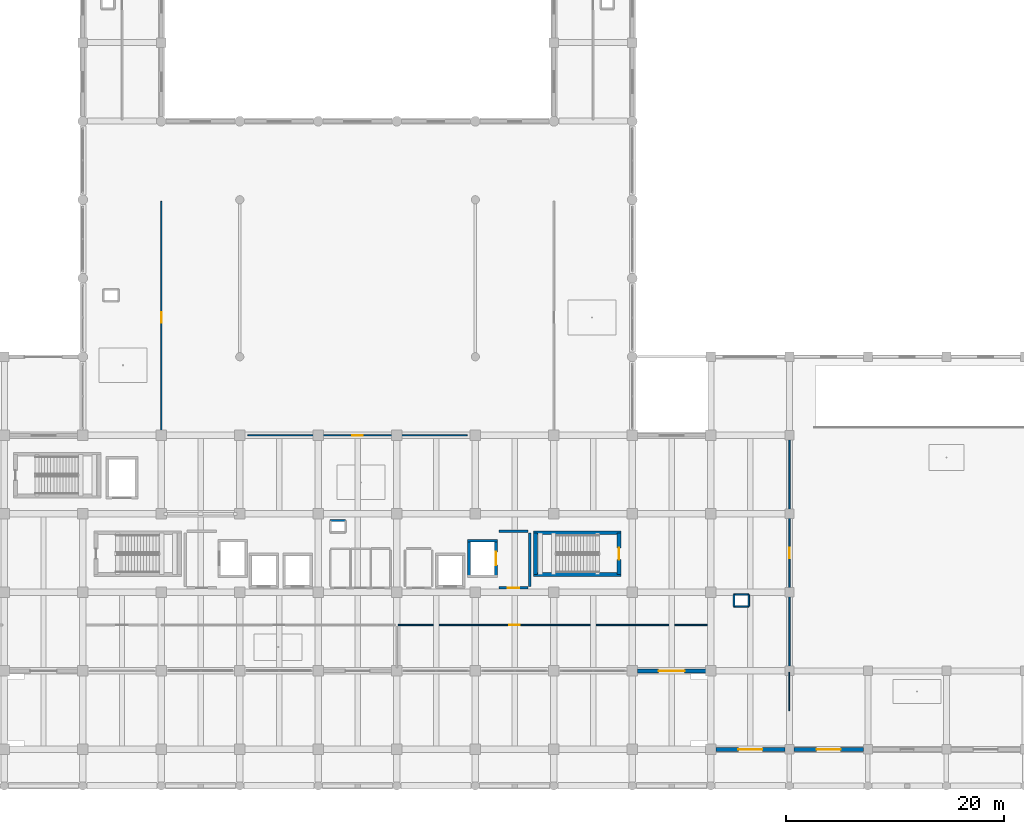
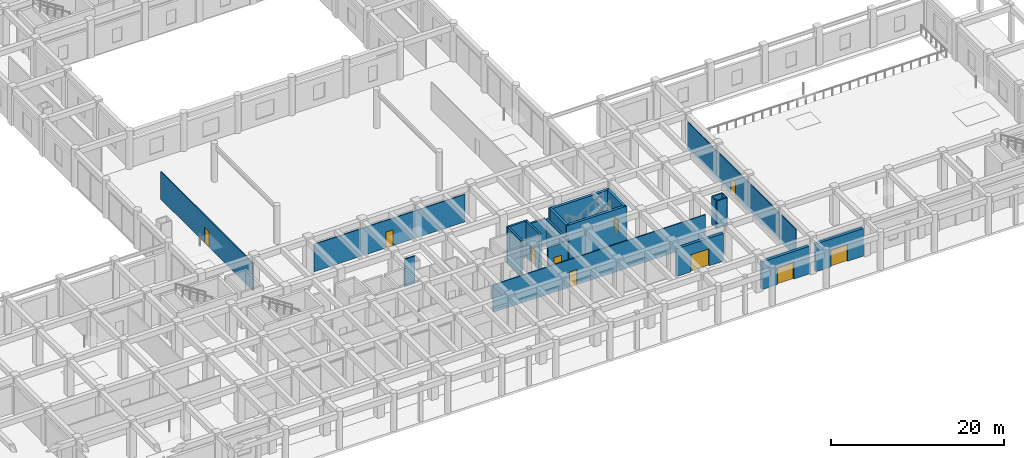
# One storey, part 28 of 56: 23 walls, 10 doors, 10 openings.
"""IFC4 building model written with IfcOpenShell, lengths in metres."""

from ifc_helpers import new_model, si_unit, direction, frame, frame_2d, origin, place, context, subcontext, project, spatial, rectangle, extrude, material, layer, layer_set, type_object, element, fill, save


model = new_model("IFC4")

# Units and contexts
model_context = context("Model", 3, precision=1e-05, world=origin(), true_north=direction((0.0, 1.0)))
body_context = subcontext(model_context, "Body", "Model", "MODEL_VIEW")
ifc_project = project(units=[si_unit("LENGTHUNIT", "METRE"), si_unit("AREAUNIT", "SQUARE_METRE"), si_unit("VOLUMEUNIT", "CUBIC_METRE"), si_unit("PLANEANGLEUNIT", "RADIAN"), si_unit("MASSUNIT", "GRAM", prefix="KILO")], contexts=[model_context])

# Site, building, storey
site_placement = place(None, origin())
site = spatial("IfcSite", under=ifc_project, at=site_placement, CompositionType="ELEMENT")
building_placement = place(site_placement, origin())
building = spatial("IfcBuilding", under=site, at=building_placement, Name="Kazehaya Institute of Natural Sciences", CompositionType="ELEMENT")
storey_placement = place(building_placement, origin())
storey = spatial("IfcBuildingStorey", under=building, at=storey_placement, Name="L00", CompositionType="ELEMENT", Elevation=0.0)

# Walls
ifc_material_1 = material(Name="Concrete Fc42", Category="concrete")
ifc_layer_1 = layer(ifc_material_1, 0.35009765625, Name="Concrete Fc42", Category="concrete")
ifc_layer_set_1 = layer_set([ifc_layer_1], Name="Concrete Fc42")
wall_type_1 = type_object("IfcWallType", Name="WL-CORE-350", PredefinedType="SHEAR", material=ifc_layer_set_1)
for number, where, z_axis, x_axis, name in (
    (1, (111.155029296875, 22.820068359375, 0.0), (0.0, 0.0, 1.0), (-1.0, 0.0, 0.0), "L00 ST-2 core wall S"),
    (2, (103.14501953125, 26.659912109375, 0.0), (0.0, 0.0, 1.0), (1.0, 0.0, 0.0), "L00 ST-2 core wall N"),
):
    element("IfcWall", number, at=place(storey_placement, frame(where, z_axis=z_axis, x_axis=x_axis)), inside=storey, type_object=wall_type_1, Name=name, PredefinedType="SHEAR", context=body_context, shape_type="SweptSolid", body=[
        extrude(rectangle(XDim=8.010009765625, YDim=0.35009765625, at=frame_2d((4.0048828125, 0.0))), origin(), (0.0, 0.0, 1.0), 5.1298828125),
    ])
wall_1_placement = place(storey_placement, frame((103.320068359375, 22.820068359375, 0.0), z_axis=(0.0, 0.0, 1.0), x_axis=(0.0, 1.0, 0.0)))
element("IfcWall", 3, at=wall_1_placement, inside=storey, type_object=wall_type_1, Name="L00 ST-2 core wall W", PredefinedType="SHEAR", context=body_context, shape_type="SweptSolid", body=[
    extrude(rectangle(XDim=3.83984375, YDim=0.35009765625, at=frame_2d((1.919921875, 0.0))), origin(), (0.0, 0.0, 1.0), 5.1298828125),
])

# Wall, opening, door
wall_2_placement = place(storey_placement, frame((110.97998046875, 26.659912109375, 0.0), z_axis=(0.0, 0.0, 1.0), x_axis=(0.0, -1.0, 0.0)))
wall_2 = element("IfcWall", 4, at=wall_2_placement, inside=storey, type_object=wall_type_1, Name="L00 ST-2 core wall E", PredefinedType="SHEAR", context=body_context, shape_type="SweptSolid", body=[
    extrude(rectangle(XDim=3.83984375, YDim=0.35009765625, at=frame_2d((1.919921875, 0.0))), origin(), (0.0, 0.0, 1.0), 5.1298828125),
])
opening_1_placement = place(wall_2_placement, frame((1.389892578125, 0.0, 0.0)))
opening_1 = element("IfcOpeningElement", 5, at=opening_1_placement, cuts=wall_2, Name="Opening D-ST-013", PredefinedType="OPENING", context=body_context, shape_type="SweptSolid", body=[
    extrude(rectangle(XDim=1.06005859375, YDim=2.1201171875, at=frame_2d((0.530029296875, 1.06005859375))), frame((0.0, 0.18505859375, 0.0), z_axis=(0.0, -1.0, 0.0), x_axis=(1.0, 0.0, 0.0)), (0.0, 0.0, 1.0), 0.3701171875),
])
ifc_material_2 = material(Name="Fire-rated steel acoustic door", Category="steel")
door_type_1 = type_object("IfcDoorType", Name="DT-FD-14", OperationType="NOTDEFINED", PredefinedType="DOOR", material=ifc_material_2)
door_1_placement = place(opening_1_placement, origin())
door_1 = element("IfcDoor", 6, at=door_1_placement, inside=storey, type_object=door_type_1, Name="L00 ST-2 stair enclosure door D-ST-013", OperationType="SINGLE_SWING_LEFT", OverallHeight=2.1201171875, OverallWidth=1.06005859375, PredefinedType="DOOR", context=body_context, shape_type="SweptSolid", body=[
    extrude(rectangle(XDim=1.06005859375, YDim=2.1201171875, at=frame_2d((0.530029296875, 1.06005859375))), frame((0.0, 0.02490234375, 0.0), z_axis=(0.0, -1.0, 0.0), x_axis=(1.0, 0.0, 0.0)), (0.0, 0.0, 1.0), 0.050048828125),
])
fill(opening_1, door_1)

ifc_material_3 = material(Name="Precast concrete Fc36", Category="concrete")
ifc_layer_2 = layer(ifc_material_3, 0.3701171875, Name="Precast concrete Fc36", Category="concrete")
ifc_layer_set_2 = layer_set([ifc_layer_2], Name="Precast concrete Fc36")
wall_type_2 = type_object("IfcWallType", Name="WL-EXT-370", PredefinedType="SOLIDWALL", material=ifc_layer_set_2)
wall_3_placement = place(storey_placement, frame((118.93994140625, 14.0, 0.0), z_axis=(0.0, 0.0, 1.0), x_axis=(-1.0, 0.0, 0.0)))
wall_3 = element("IfcWall", 7, at=wall_3_placement, inside=storey, type_object=wall_type_2, Name="L00 exterior wall EW-L00-0095", PredefinedType="SOLIDWALL", context=body_context, shape_type="SweptSolid", body=[
    extrude(rectangle(XDim=6.280029296875, YDim=0.3701171875, at=frame_2d((3.14013671875, 0.0))), origin(), (0.0, 0.0, 1.0), 3.89990234375),
])
opening_2_placement = place(wall_3_placement, frame((1.93994140625, 0.0, 0.0)))
opening_2 = element("IfcOpeningElement", 8, at=opening_2_placement, cuts=wall_3, Name="Opening D-E02", PredefinedType="OPENING", context=body_context, shape_type="SweptSolid", body=[
    extrude(rectangle(XDim=2.39990234375, YDim=2.39990234375, at=frame_2d((1.199951171875, 1.199951171875))), frame((0.0, 0.195068359375, 0.0), z_axis=(0.0, -1.0, 0.0), x_axis=(1.0, 0.0, 0.0)), (0.0, 0.0, 1.0), 0.39013671875),
])
ifc_material_4 = material(Name="Insulated bronze-clad steel door", Category="steel")
door_type_2 = type_object("IfcDoorType", Name="DT-EXT-2400x2400", OperationType="DOUBLE_DOOR_SINGLE_SWING", PredefinedType="DOOR", material=ifc_material_4)
door_2_placement = place(opening_2_placement, origin())
door_2 = element("IfcDoor", 9, at=door_2_placement, inside=storey, type_object=door_type_2, Name="L00 exterior door D-E02", OperationType="DOUBLE_DOOR_SINGLE_SWING", OverallHeight=2.39990234375, OverallWidth=2.39990234375, PredefinedType="DOOR", context=body_context, shape_type="SweptSolid", body=[
    extrude(rectangle(XDim=2.39990234375, YDim=2.39990234375, at=frame_2d((1.199951171875, 1.199951171875))), frame((0.0, 0.02490234375, 0.0), z_axis=(0.0, -1.0, 0.0), x_axis=(1.0, 0.0, 0.0)), (0.0, 0.0, 1.0), 0.050048828125),
])
fill(opening_2, door_2)

wall_4_placement = place(storey_placement, frame((133.389892578125, 6.800048828125, 0.0), z_axis=(0.0, 0.0, 1.0), x_axis=(-1.0, 0.0, 0.0)))
wall_4 = element("IfcWall", 10, at=wall_4_placement, inside=storey, type_object=wall_type_2, Name="L00 exterior wall EW-L00-0102", PredefinedType="SOLIDWALL", context=body_context, shape_type="SweptSolid", body=[
    extrude(rectangle(XDim=6.3798828125, YDim=0.3701171875, at=frame_2d((3.18994140625, 0.0))), origin(), (0.0, 0.0, 1.0), 3.89990234375),
])
opening_3_placement = place(wall_4_placement, frame((2.090087890625, 0.0, 0.0)))
opening_3 = element("IfcOpeningElement", 11, at=opening_3_placement, cuts=wall_4, Name="Opening D-E14", PredefinedType="OPENING", context=body_context, shape_type="SweptSolid", body=[
    extrude(rectangle(XDim=2.199951171875, YDim=2.39990234375, at=frame_2d((1.10009765625, 1.199951171875))), frame((0.0, 0.195068359375, 0.0), z_axis=(0.0, -1.0, 0.0), x_axis=(1.0, 0.0, 0.0)), (0.0, 0.0, 1.0), 0.39013671875),
])
door_type_3 = type_object("IfcDoorType", Name="DT-EXT-2200x2400", OperationType="DOUBLE_DOOR_SINGLE_SWING", PredefinedType="DOOR", material=ifc_material_4)
door_3_placement = place(opening_3_placement, origin())
door_3 = element("IfcDoor", 12, at=door_3_placement, inside=storey, type_object=door_type_3, Name="L00 exterior door D-E14", OperationType="DOUBLE_DOOR_SINGLE_SWING", OverallHeight=2.39990234375, OverallWidth=2.199951171875, PredefinedType="DOOR", context=body_context, shape_type="SweptSolid", body=[
    extrude(rectangle(XDim=2.199951171875, YDim=2.39990234375, at=frame_2d((1.10009765625, 1.199951171875))), frame((0.0, 0.02490234375, 0.0), z_axis=(0.0, -1.0, 0.0), x_axis=(1.0, 0.0, 0.0)), (0.0, 0.0, 1.0), 0.050048828125),
])
fill(opening_3, door_3)

wall_5_placement = place(storey_placement, frame((126.18994140625, 6.800048828125, 0.0), z_axis=(0.0, 0.0, 1.0), x_axis=(-1.0, 0.0, 0.0)))
wall_5 = element("IfcWall", 13, at=wall_5_placement, inside=storey, type_object=wall_type_2, Name="L00 exterior wall EW-L00-0103", PredefinedType="SOLIDWALL", context=body_context, shape_type="SweptSolid", body=[
    extrude(rectangle(XDim=6.329833984375, YDim=0.3701171875, at=frame_2d((3.1650390625, 0.0))), origin(), (0.0, 0.0, 1.0), 3.89990234375),
])
opening_4_placement = place(wall_5_placement, frame((2.06494140625, 0.0, 0.0)))
opening_4 = element("IfcOpeningElement", 14, at=opening_4_placement, cuts=wall_5, Name="Opening D-E06", PredefinedType="OPENING", context=body_context, shape_type="SweptSolid", body=[
    extrude(rectangle(XDim=2.199951171875, YDim=2.39990234375, at=frame_2d((1.10009765625, 1.199951171875))), frame((0.0, 0.195068359375, 0.0), z_axis=(0.0, -1.0, 0.0), x_axis=(1.0, 0.0, 0.0)), (0.0, 0.0, 1.0), 0.39013671875),
])
door_4_placement = place(opening_4_placement, origin())
door_4 = element("IfcDoor", 15, at=door_4_placement, inside=storey, type_object=door_type_3, Name="L00 exterior door D-E06", OperationType="DOUBLE_DOOR_SINGLE_SWING", OverallHeight=2.39990234375, OverallWidth=2.199951171875, PredefinedType="DOOR", context=body_context, shape_type="SweptSolid", body=[
    extrude(rectangle(XDim=2.199951171875, YDim=2.39990234375, at=frame_2d((1.10009765625, 1.199951171875))), frame((0.0, 0.02490234375, 0.0), z_axis=(0.0, -1.0, 0.0), x_axis=(1.0, 0.0, 0.0)), (0.0, 0.0, 1.0), 0.050048828125),
])
fill(opening_4, door_4)

ifc_material_5 = material(Name="Concrete Fc36", Category="concrete")
ifc_layer_3 = layer(ifc_material_5, 0.22998046875, Name="Concrete Fc36", Category="concrete")
ifc_layer_set_3 = layer_set([ifc_layer_3], Name="Concrete Fc36")
wall_type_3 = type_object("IfcWallType", Name="WL-FFL-230", PredefinedType="PARTITIONING", material=ifc_layer_set_3)
wall_6_placement = place(storey_placement, frame((102.64990234375, 21.60009765625, 0.0), z_axis=(0.0, 0.0, 1.0), x_axis=(-1.0, 0.0, 0.0)))
wall_6 = element("IfcWall", 16, at=wall_6_placement, inside=storey, type_object=wall_type_3, Name="L00 East Firefighting Lift Lobby partition IW-L00-0037", PredefinedType="PARTITIONING", context=body_context, shape_type="SweptSolid", body=[
    extrude(rectangle(XDim=2.699951171875, YDim=0.22998046875, at=frame_2d((1.35009765625, 0.0))), origin(), (0.0, 0.0, 1.0), 3.8798828125),
])
opening_5_placement = place(wall_6_placement, frame((0.840087890625, 0.0, 0.0)))
opening_5 = element("IfcOpeningElement", 17, at=opening_5_placement, cuts=wall_6, Name="Opening D-L00-0054", PredefinedType="OPENING", context=body_context, shape_type="SweptSolid", body=[
    extrude(rectangle(XDim=1.02001953125, YDim=2.179931640625, at=frame_2d((0.510009765625, 1.08984375))), frame((0.0, 0.125, 0.0), z_axis=(0.0, -1.0, 0.0), x_axis=(1.0, 0.0, 0.0)), (0.0, 0.0, 1.0), 0.25),
])
door_type_4 = type_object("IfcDoorType", Name="DT-FD-12", OperationType="NOTDEFINED", PredefinedType="DOOR", material=ifc_material_2)
door_5_placement = place(opening_5_placement, origin())
door_5 = element("IfcDoor", 18, at=door_5_placement, inside=storey, type_object=door_type_4, Name="L00 East Firefighting Lift Lobby door D-L00-0054", OperationType="SINGLE_SWING_RIGHT", OverallHeight=2.179931640625, OverallWidth=1.02001953125, PredefinedType="DOOR", context=body_context, shape_type="SweptSolid", body=[
    extrude(rectangle(XDim=1.02001953125, YDim=2.179931640625, at=frame_2d((0.510009765625, 1.08984375))), frame((0.0, 0.02490234375, 0.0), z_axis=(0.0, -1.0, 0.0), x_axis=(1.0, 0.0, 0.0)), (0.0, 0.0, 1.0), 0.050048828125),
])
fill(opening_5, door_5)

# Walls
wall_7_placement = place(storey_placement, frame((99.949951171875, 26.800048828125, 0.0), z_axis=(0.0, 0.0, 1.0), x_axis=(1.0, 0.0, 0.0)))
element("IfcWall", 19, at=wall_7_placement, inside=storey, type_object=wall_type_3, Name="L00 East Firefighting Lift Lobby partition IW-L00-0038", PredefinedType="PARTITIONING", context=body_context, shape_type="SweptSolid", body=[
    extrude(rectangle(XDim=2.699951171875, YDim=0.22998046875, at=frame_2d((1.35009765625, 0.0))), origin(), (0.0, 0.0, 1.0), 3.8798828125),
])
wall_8_placement = place(storey_placement, frame((102.800048828125, 26.64990234375, 0.0), z_axis=(0.0, 0.0, 1.0), x_axis=(0.0, -1.0, 0.0)))
element("IfcWall", 20, at=wall_8_placement, inside=storey, type_object=wall_type_3, Name="L00 East Firefighting Lift Lobby partition IW-L00-0039", PredefinedType="PARTITIONING", context=body_context, shape_type="SweptSolid", body=[
    extrude(rectangle(XDim=4.89990234375, YDim=0.22998046875, at=frame_2d((2.449951171875, 0.0))), origin(), (0.0, 0.0, 1.0), 3.8798828125),
])

# Wall, opening, door
ifc_material_6 = material(Name="Glazed office demountable partition")
ifc_layer_4 = layer(ifc_material_6, 0.110107421875, Name="Glazed office demountable partition")
ifc_layer_set_4 = layer_set([ifc_layer_4], Name="Glazed office demountable partition")
wall_type_4 = type_object("IfcWallType", Name="WL-PART-110", PredefinedType="PARTITIONING", material=ifc_layer_set_4)
wall_9_placement = place(storey_placement, frame((76.949951171875, 35.60009765625, 0.0), z_axis=(0.0, 0.0, 1.0), x_axis=(1.0, 0.0, 0.0)))
wall_9 = element("IfcWall", 21, at=wall_9_placement, inside=storey, type_object=wall_type_4, Name="L00 Biochemical Assay Laboratory partition IW-L00-0065", PredefinedType="PARTITIONING", context=body_context, shape_type="SweptSolid", body=[
    extrude(rectangle(XDim=20.10009765625, YDim=0.110107421875, at=frame_2d((10.050048828125, 0.0))), origin(), (0.0, 0.0, 1.0), 3.8798828125),
])
opening_6_placement = place(wall_9_placement, frame((9.570068359375, 0.0, 0.0)))
opening_6 = element("IfcOpeningElement", 22, at=opening_6_placement, cuts=wall_9, Name="Opening D-L00-0066", PredefinedType="OPENING", context=body_context, shape_type="SweptSolid", body=[
    extrude(rectangle(XDim=0.9599609375, YDim=2.219970703125, at=frame_2d((0.47998046875, 1.10986328125))), frame((0.0, 0.06494140625, 0.0), z_axis=(0.0, -1.0, 0.0), x_axis=(1.0, 0.0, 0.0)), (0.0, 0.0, 1.0), 0.130126953125),
])
ifc_material_7 = material(Name="Flush timber and aluminium laboratory door", Category="wood")
door_type_5 = type_object("IfcDoorType", Name="DT-INT-12", OperationType="NOTDEFINED", PredefinedType="DOOR", material=ifc_material_7)
door_6_placement = place(opening_6_placement, origin())
door_6 = element("IfcDoor", 23, at=door_6_placement, inside=storey, type_object=door_type_5, Name="L00 Biochemical Assay Laboratory door D-L00-0066", OperationType="SINGLE_SWING_RIGHT", OverallHeight=2.219970703125, OverallWidth=0.9599609375, PredefinedType="DOOR", context=body_context, shape_type="SweptSolid", body=[
    extrude(rectangle(XDim=0.9599609375, YDim=2.219970703125, at=frame_2d((0.47998046875, 1.10986328125))), frame((0.0, 0.02490234375, 0.0), z_axis=(0.0, -1.0, 0.0), x_axis=(1.0, 0.0, 0.0)), (0.0, 0.0, 1.0), 0.050048828125),
])
fill(opening_6, door_6)

# Wall
wall_10_placement = place(storey_placement, frame((126.60009765625, 10.35009765625, 0.0), z_axis=(0.0, 0.0, 1.0), x_axis=(0.0, 1.0, 0.0)))
element("IfcWall", 24, at=wall_10_placement, inside=storey, type_object=wall_type_4, Name="L00 Seminar Room partition IW-L00-0067", PredefinedType="PARTITIONING", context=body_context, shape_type="SweptSolid", body=[
    extrude(rectangle(XDim=3.5, YDim=0.110107421875, at=frame_2d((1.75, 0.0))), origin(), (0.0, 0.0, 1.0), 3.8798828125),
])

# Wall, opening, door
ifc_material_8 = material(Name="Gypsum write-up office partition", Category="gypsum")
ifc_layer_5 = layer(ifc_material_8, 0.1201171875, Name="Gypsum write-up office partition", Category="gypsum")
ifc_layer_set_5 = layer_set([ifc_layer_5], Name="Gypsum write-up office partition")
wall_type_5 = type_object("IfcWallType", Name="WL-PART-120", PredefinedType="PARTITIONING", material=ifc_layer_set_5)
wall_11_placement = place(storey_placement, frame((90.75, 18.199951171875, 0.0), z_axis=(0.0, 0.0, 1.0), x_axis=(1.0, 0.0, 0.0)))
wall_11 = element("IfcWall", 25, at=wall_11_placement, inside=storey, type_object=wall_type_5, Name="L00 Analytical Spectroscopy Laboratory partition IW-L00-0064", PredefinedType="PARTITIONING", context=body_context, shape_type="SweptSolid", body=[
    extrude(rectangle(XDim=28.300048828125, YDim=0.1201171875, at=frame_2d((14.14990234375, 0.0))), origin(), (0.0, 0.0, 1.0), 3.8798828125),
])
opening_7_placement = place(wall_11_placement, frame((10.169921875, 0.0, 0.0)))
opening_7 = element("IfcOpeningElement", 26, at=opening_7_placement, cuts=wall_11, Name="Opening D-L00-0065", PredefinedType="OPENING", context=body_context, shape_type="SweptSolid", body=[
    extrude(rectangle(XDim=0.9599609375, YDim=2.159912109375, at=frame_2d((0.47998046875, 1.080078125))), frame((0.0, 0.070068359375, 0.0), z_axis=(0.0, -1.0, 0.0), x_axis=(1.0, 0.0, 0.0)), (0.0, 0.0, 1.0), 0.14013671875),
])
door_type_6 = type_object("IfcDoorType", Name="DT-INT-11", OperationType="NOTDEFINED", PredefinedType="DOOR", material=ifc_material_7)
door_7_placement = place(opening_7_placement, origin())
door_7 = element("IfcDoor", 27, at=door_7_placement, inside=storey, type_object=door_type_6, Name="L00 Analytical Spectroscopy Laboratory door D-L00-0065", OperationType="SINGLE_SWING_LEFT", OverallHeight=2.159912109375, OverallWidth=0.9599609375, PredefinedType="DOOR", context=body_context, shape_type="SweptSolid", body=[
    extrude(rectangle(XDim=0.9599609375, YDim=2.159912109375, at=frame_2d((0.47998046875, 1.080078125))), frame((0.0, 0.02490234375, 0.0), z_axis=(0.0, -1.0, 0.0), x_axis=(1.0, 0.0, 0.0)), (0.0, 0.0, 1.0), 0.050048828125),
])
fill(opening_7, door_7)

wall_12_placement = place(storey_placement, frame((126.60009765625, 14.14990234375, 0.0), z_axis=(0.0, 0.0, 1.0), x_axis=(0.0, 1.0, 0.0)))
wall_12 = element("IfcWall", 28, at=wall_12_placement, inside=storey, type_object=wall_type_5, Name="L00 Lecture Theatre Auditorium partition IW-L00-0066", PredefinedType="PARTITIONING", context=body_context, shape_type="SweptSolid", body=[
    extrude(rectangle(XDim=21.300048828125, YDim=0.1201171875, at=frame_2d((10.64990234375, 0.0))), origin(), (0.0, 0.0, 1.0), 3.8798828125),
])
opening_8_placement = place(wall_12_placement, frame((10.155029296875, 0.0, 0.0)))
opening_8 = element("IfcOpeningElement", 29, at=opening_8_placement, cuts=wall_12, Name="Opening D-L00-0067", PredefinedType="OPENING", context=body_context, shape_type="SweptSolid", body=[
    extrude(rectangle(XDim=0.989990234375, YDim=2.050048828125, at=frame_2d((0.4951171875, 1.02490234375))), frame((0.0, 0.070068359375, 0.0), z_axis=(0.0, -1.0, 0.0), x_axis=(1.0, 0.0, 0.0)), (0.0, 0.0, 1.0), 0.14013671875),
])
door_type_7 = type_object("IfcDoorType", Name="DT-INT-13", OperationType="NOTDEFINED", PredefinedType="DOOR", material=ifc_material_7)
door_8_placement = place(opening_8_placement, origin())
door_8 = element("IfcDoor", 30, at=door_8_placement, inside=storey, type_object=door_type_7, Name="L00 Lecture Theatre Auditorium door D-L00-0067", OperationType="SINGLE_SWING_LEFT", OverallHeight=2.050048828125, OverallWidth=0.989990234375, PredefinedType="DOOR", context=body_context, shape_type="SweptSolid", body=[
    extrude(rectangle(XDim=0.989990234375, YDim=2.050048828125, at=frame_2d((0.4951171875, 1.02490234375))), frame((0.0, 0.02490234375, 0.0), z_axis=(0.0, -1.0, 0.0), x_axis=(1.0, 0.0, 0.0)), (0.0, 0.0, 1.0), 0.050048828125),
])
fill(opening_8, door_8)

ifc_material_9 = material(Name="Moisture-resistant WC partition")
ifc_layer_6 = layer(ifc_material_9, 0.1298828125, Name="Moisture-resistant WC partition")
ifc_layer_set_6 = layer_set([ifc_layer_6], Name="Moisture-resistant WC partition")
wall_type_6 = type_object("IfcWallType", Name="WL-PART-130", PredefinedType="PARTITIONING", material=ifc_layer_set_6)
wall_13_placement = place(storey_placement, frame((69.0, 57.050048828125, 0.0), z_axis=(0.0, 0.0, 1.0), x_axis=(0.0, -1.0, 0.0)))
wall_13 = element("IfcWall", 31, at=wall_13_placement, inside=storey, type_object=wall_type_6, Name="L00 Public Science Cafe partition IW-L00-0070", PredefinedType="PARTITIONING", context=body_context, shape_type="SweptSolid", body=[
    extrude(rectangle(XDim=21.300048828125, YDim=0.1298828125, at=frame_2d((10.64990234375, 0.0))), origin(), (0.0, 0.0, 1.0), 3.8798828125),
])
opening_9_placement = place(wall_13_placement, frame((10.155029296875, 0.0, 0.0)))
opening_9 = element("IfcOpeningElement", 32, at=opening_9_placement, cuts=wall_13, Name="Opening D-L00-0069", PredefinedType="OPENING", context=body_context, shape_type="SweptSolid", body=[
    extrude(rectangle(XDim=0.989990234375, YDim=2.159912109375, at=frame_2d((0.4951171875, 1.080078125))), frame((0.0, 0.074951171875, 0.0), z_axis=(0.0, -1.0, 0.0), x_axis=(1.0, 0.0, 0.0)), (0.0, 0.0, 1.0), 0.14990234375),
])
door_type_8 = type_object("IfcDoorType", Name="DT-INT-15", OperationType="NOTDEFINED", PredefinedType="DOOR", material=ifc_material_7)
door_9_placement = place(opening_9_placement, origin())
door_9 = element("IfcDoor", 33, at=door_9_placement, inside=storey, type_object=door_type_8, Name="L00 Public Science Cafe door D-L00-0069", OperationType="SINGLE_SWING_LEFT", OverallHeight=2.159912109375, OverallWidth=0.989990234375, PredefinedType="DOOR", context=body_context, shape_type="SweptSolid", body=[
    extrude(rectangle(XDim=0.989990234375, YDim=2.159912109375, at=frame_2d((0.4951171875, 1.080078125))), frame((0.0, 0.02490234375, 0.0), z_axis=(0.0, -1.0, 0.0), x_axis=(1.0, 0.0, 0.0)), (0.0, 0.0, 1.0), 0.050048828125),
])
fill(opening_9, door_9)

# Walls
ifc_layer_7 = layer(ifc_material_5, 0.14990234375, Name="Concrete Fc36", Category="concrete")
ifc_layer_set_7 = layer_set([ifc_layer_7], Name="Concrete Fc36")
wall_type_7 = type_object("IfcWallType", Name="WL-RISER-150", PredefinedType="PARTITIONING", material=ifc_layer_set_7)
for number, where, z_axis, x_axis, name in (
    (34, (84.514892578125, 27.784912109375, 0.0), (0.0, 0.0, 1.0), (1.0, 0.0, 0.0), "L00 fume exhaust riser shaft wall 11"),
    (35, (122.885009765625, 19.9150390625, 0.0), (0.0, 0.0, 1.0), (-1.0, 0.0, 0.0), "L00 fume exhaust riser shaft wall 12"),
    (36, (121.514892578125, 20.985107421875, 0.0), (0.0, 0.0, 1.0), (1.0, 0.0, 0.0), "L00 fume exhaust riser shaft wall 12"),
):
    element("IfcWall", number, at=place(storey_placement, frame(where, z_axis=z_axis, x_axis=x_axis)), inside=storey, type_object=wall_type_7, Name=name, PredefinedType="PARTITIONING", context=body_context, shape_type="SweptSolid", body=[
        extrude(rectangle(XDim=1.3701171875, YDim=0.14990234375, at=frame_2d((0.68505859375, 0.0))), origin(), (0.0, 0.0, 1.0), 3.8798828125),
    ])
for number, where, z_axis, x_axis, name in (
    (37, (121.514892578125, 19.9150390625, 0.0), (0.0, 0.0, 1.0), (0.0, 1.0, 0.0), "L00 fume exhaust riser shaft wall 12"),
    (38, (122.885009765625, 20.985107421875, 0.0), (0.0, 0.0, 1.0), (0.0, -1.0, 0.0), "L00 fume exhaust riser shaft wall 12"),
):
    element("IfcWall", number, at=place(storey_placement, frame(where, z_axis=z_axis, x_axis=x_axis)), inside=storey, type_object=wall_type_7, Name=name, PredefinedType="PARTITIONING", context=body_context, shape_type="SweptSolid", body=[
        extrude(rectangle(XDim=1.070068359375, YDim=0.14990234375, at=frame_2d((0.53515625, 0.0))), origin(), (0.0, 0.0, 1.0), 3.8798828125),
    ])
ifc_layer_8 = layer(ifc_material_1, 0.25, Name="Concrete Fc42", Category="concrete")
ifc_layer_set_8 = layer_set([ifc_layer_8], Name="Concrete Fc42")
wall_type_8 = type_object("IfcWallType", Name="WL-SHAFT-250", PredefinedType="SHEAR", material=ifc_layer_set_8)
wall_14_placement = place(storey_placement, frame((97.090087890625, 25.93505859375, 0.0), z_axis=(0.0, 0.0, 1.0), x_axis=(1.0, 0.0, 0.0)))
element("IfcWall", 39, at=wall_14_placement, inside=storey, type_object=wall_type_8, Name="L00 EL08 lift shaft wall north", PredefinedType="SHEAR", context=body_context, shape_type="SweptSolid", body=[
    extrude(rectangle(XDim=2.719970703125, YDim=0.25, at=frame_2d((1.35986328125, 0.0))), origin(), (0.0, 0.0, 1.0), 5.1298828125),
])
wall_15_placement = place(storey_placement, frame((97.215087890625, 22.6650390625, 0.0), z_axis=(0.0, 0.0, 1.0), x_axis=(0.0, 1.0, 0.0)))
element("IfcWall", 40, at=wall_15_placement, inside=storey, type_object=wall_type_8, Name="L00 EL08 lift shaft wall west", PredefinedType="SHEAR", context=body_context, shape_type="SweptSolid", body=[
    extrude(rectangle(XDim=3.27001953125, YDim=0.25, at=frame_2d((1.635009765625, 0.0))), origin(), (0.0, 0.0, 1.0), 5.1298828125),
])

# Wall, opening, door
wall_16_placement = place(storey_placement, frame((99.68505859375, 25.93505859375, 0.0), z_axis=(0.0, 0.0, 1.0), x_axis=(0.0, -1.0, 0.0)))
wall_16 = element("IfcWall", 41, at=wall_16_placement, inside=storey, type_object=wall_type_8, Name="L00 EL08 lift shaft wall east", PredefinedType="SHEAR", context=body_context, shape_type="SweptSolid", body=[
    extrude(rectangle(XDim=3.27001953125, YDim=0.25, at=frame_2d((1.635009765625, 0.0))), origin(), (0.0, 0.0, 1.0), 5.1298828125),
])
opening_10_placement = place(wall_16_placement, frame((1.034912109375, 0.0, 0.0)))
opening_10 = element("IfcOpeningElement", 42, at=opening_10_placement, cuts=wall_16, Name="Opening LD-13", PredefinedType="OPENING", context=body_context, shape_type="SweptSolid", body=[
    extrude(rectangle(XDim=1.199951171875, YDim=2.25, at=frame_2d((0.60009765625, 1.125))), frame((0.0, 0.135009765625, 0.0), z_axis=(0.0, -1.0, 0.0), x_axis=(1.0, 0.0, 0.0)), (0.0, 0.0, 1.0), 0.27001953125),
])
ifc_material_10 = material(Name="Stainless-steel emergency lift landing door", Category="steel")
door_type_9 = type_object("IfcDoorType", Name="DT-LD-1200x2250", OperationType="SLIDING_TO_LEFT", PredefinedType="DOOR", material=ifc_material_10)
door_10_placement = place(opening_10_placement, origin())
door_10 = element("IfcDoor", 43, at=door_10_placement, inside=storey, type_object=door_type_9, Name="L00 EL08 sliding landing door LD-13", OperationType="SLIDING_TO_LEFT", OverallHeight=2.25, OverallWidth=1.199951171875, PredefinedType="DOOR", context=body_context, shape_type="SweptSolid", body=[
    extrude(rectangle(XDim=1.199951171875, YDim=2.25, at=frame_2d((0.60009765625, 1.125))), frame((0.0, 0.02490234375, 0.0), z_axis=(0.0, -1.0, 0.0), x_axis=(1.0, 0.0, 0.0)), (0.0, 0.0, 1.0), 0.050048828125),
])
fill(opening_10, door_10)

save(model, "model.ifc")
